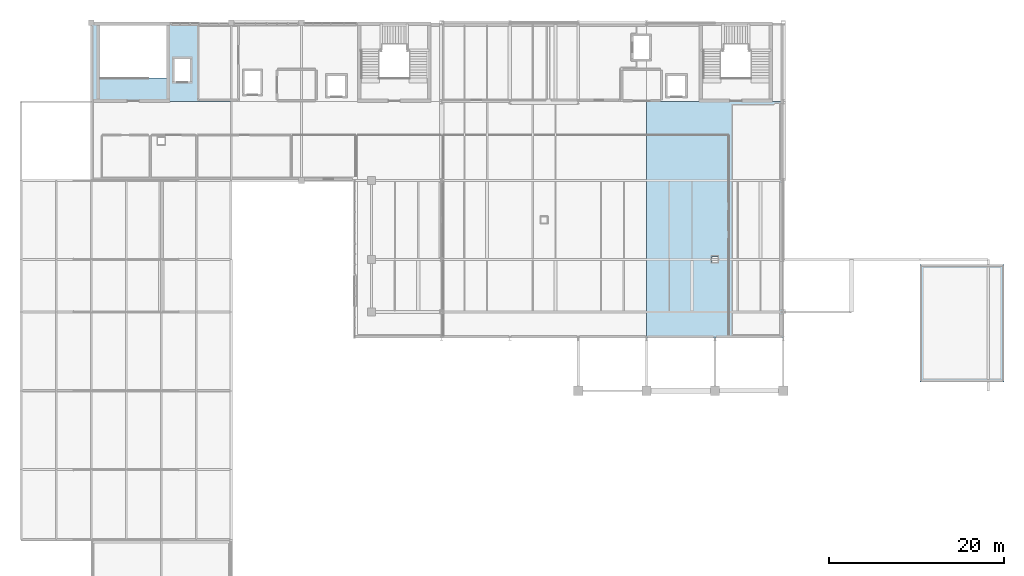
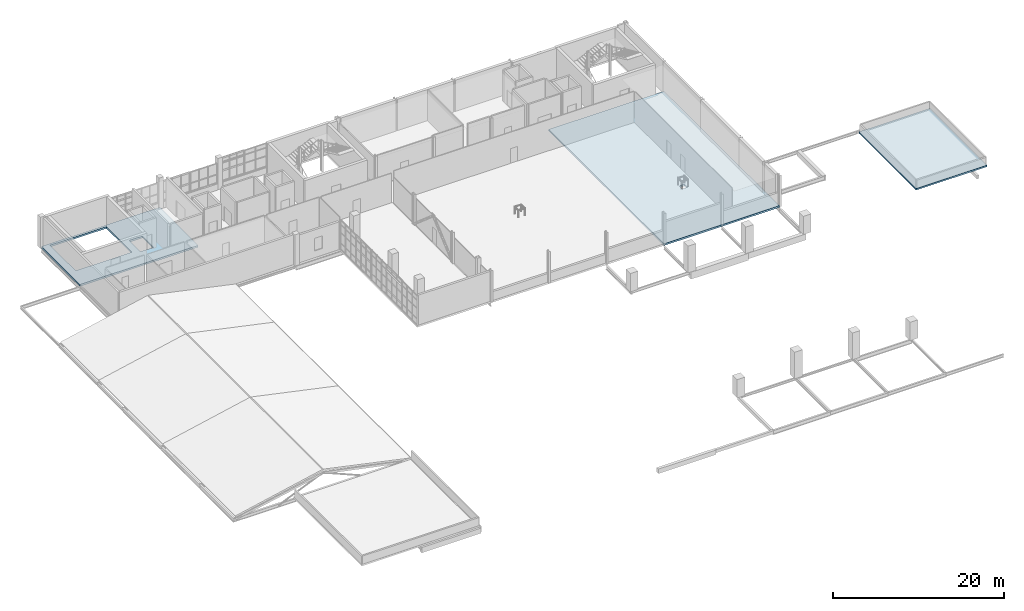
# One storey, part 21 of 38: 3 slabs.
"""IFC4 building model written with IfcOpenShell, lengths in metres."""

from ifc_helpers import new_model, si_unit, derived_unit, direction, frame, origin, place, context, subcontext, project, spatial, polyline, outline, extrude, material, layer, layer_set, type_object, element, save


model = new_model("IFC4")

# Units and contexts
model_context = context("Model", 3, precision=1e-05, world=origin(), true_north=direction((0.0, 1.0)))
body_context = subcontext(model_context, "Body", "Model", "MODEL_VIEW")
ifc_project = project(units=[si_unit("LENGTHUNIT", "METRE"), si_unit("AREAUNIT", "SQUARE_METRE"), si_unit("VOLUMEUNIT", "CUBIC_METRE"), si_unit("PLANEANGLEUNIT", "RADIAN"), si_unit("MASSUNIT", "GRAM", prefix="KILO"), derived_unit("THERMALTRANSMITTANCEUNIT", [(si_unit("POWERUNIT", "WATT"), 1), (si_unit("LENGTHUNIT", "METRE"), -2), (si_unit("THERMODYNAMICTEMPERATUREUNIT", "KELVIN"), -1)])], contexts=[model_context])

# Site, building, storey
site_placement = place(None, origin())
site = spatial("IfcSite", under=ifc_project, at=site_placement, CompositionType="ELEMENT")
building_placement = place(site_placement, origin())
building = spatial("IfcBuilding", under=site, at=building_placement, Name="Nallur Shell Playhouse", CompositionType="ELEMENT")
storey_placement = place(building_placement, frame((0.0, 0.0, 24.300048828125)))
storey = spatial("IfcBuildingStorey", under=building, at=storey_placement, Name="L06", CompositionType="ELEMENT", Elevation=24.300048828125)

# Slabs
ifc_material_1 = material(Name="Concrete M35", Category="concrete")
ifc_layer_1 = layer(ifc_material_1, 0.219970703125)
ifc_layer_set_1 = layer_set([ifc_layer_1], Name="Concrete M35")
slab_type_1 = type_object("IfcSlabType", Name="SL-FLATROOF-220", PredefinedType="ROOF", material=ifc_layer_set_1)
slab_1_placement = place(storey_placement, frame((0.0, 0.0, -0.219970703125)))
element("IfcSlab", 1, at=slab_1_placement, inside=storey, type_object=slab_type_1, Name="L06 JC-2 East Core overrun roof slab", PredefinedType="ROOF", context=body_context, shape_type="SweptSolid", body=[
    extrude(outline(polyline([(118.60009765625, 42.0), (118.60009765625, 55.39990234375), (128.199951171875, 55.39990234375), (128.199951171875, 42.0), (118.60009765625, 42.0)])), origin(), (0.0, 0.0, 1.0), 0.219970703125),
])
ifc_material_2 = material(Name="Concrete M30", Category="concrete")
ifc_layer_2 = layer(ifc_material_2, 0.25)
ifc_layer_set_2 = layer_set([ifc_layer_2], Name="Concrete M30")
slab_type_2 = type_object("IfcSlabType", Name="SL-UPPER-250", PredefinedType="FLOOR", material=ifc_layer_set_2)
slab_2_placement = place(storey_placement, frame((0.0, 0.0, -0.25)))
element("IfcSlab", 2, at=slab_2_placement, inside=storey, type_object=slab_type_2, Name="L06 structural floor slab panel 02", PredefinedType="FLOOR", context=body_context, shape_type="SweptSolid", body=[
    extrude(outline(polyline([(24.0, 83.0), (40.0, 83.0), (40.0, 74.0), (24.0, 74.0), (24.0, 83.0)]), holes=[polyline([(33.5, 76.300048828125), (35.300048828125, 76.300048828125), (35.300048828125, 78.89990234375), (33.5, 78.89990234375), (33.5, 76.300048828125)]), polyline([(25.0, 82.699951171875), (25.0, 76.699951171875), (32.60009765625, 76.699951171875), (32.60009765625, 82.699951171875), (25.0, 82.699951171875)])]), origin(), (0.0, 0.0, 1.0), 0.25),
])
slab_3_placement = place(storey_placement, frame((0.0, 0.0, -0.25)))
element("IfcSlab", 3, at=slab_3_placement, inside=storey, type_object=slab_type_2, Name="L06 structural floor slab panel 07", PredefinedType="FLOOR", context=body_context, shape_type="SweptSolid", body=[
    extrude(outline(polyline([(103.0, 65.0), (103.0, 47.0), (87.39990234375, 47.0), (87.39990234375, 74.0), (103.0, 74.0), (103.0, 65.0)]), holes=[polyline([(94.85009765625, 55.64990234375), (95.550048828125, 55.64990234375), (95.550048828125, 56.35009765625), (94.85009765625, 56.35009765625), (94.85009765625, 55.64990234375)])]), origin(), (0.0, 0.0, 1.0), 0.25),
])

save(model, "model.ifc")
